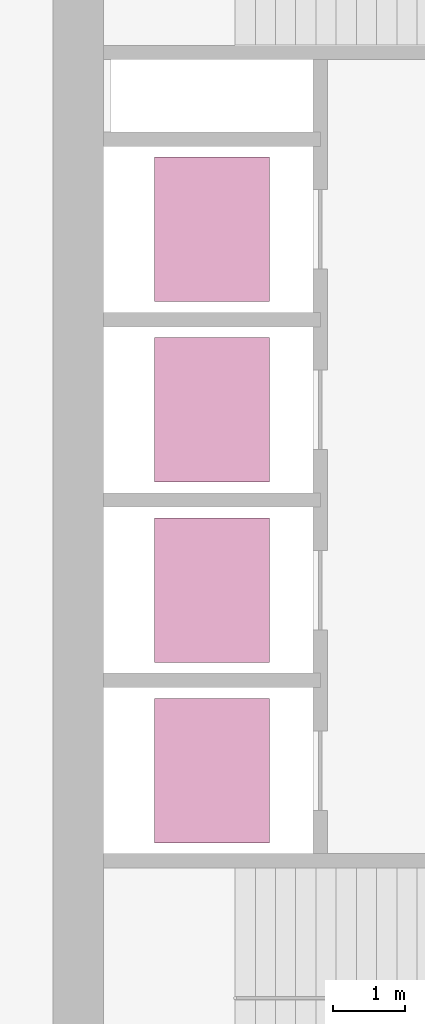
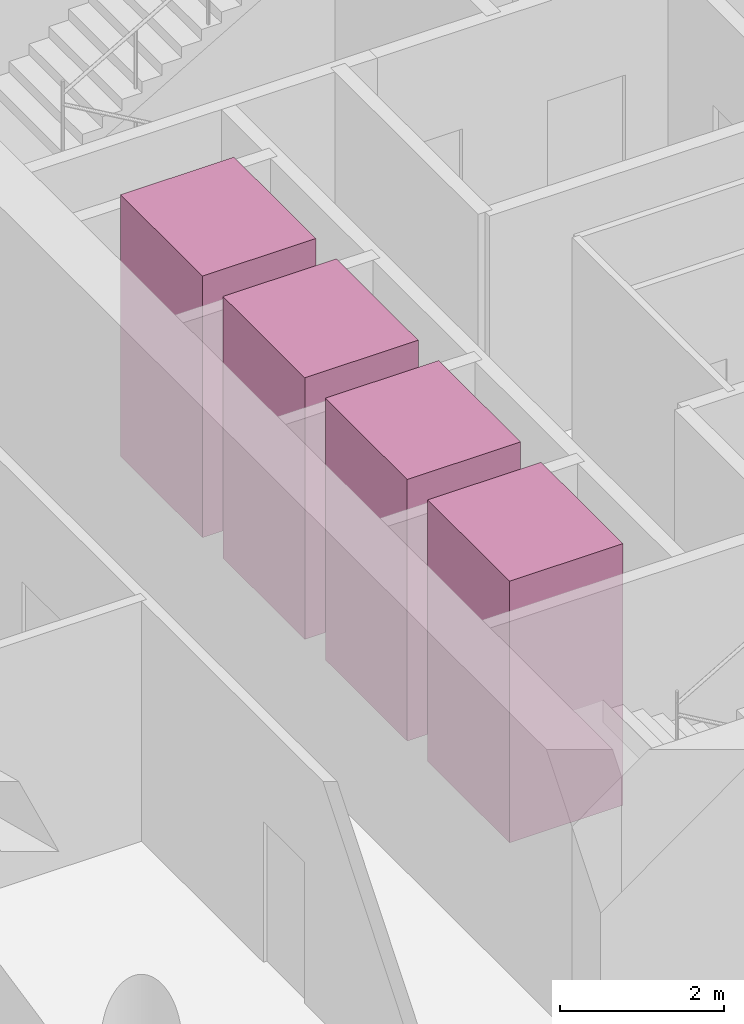
# One storey, part 9 of 9: 4 transport elements.
"""IFC4 building model written with IfcOpenShell, lengths in metres."""

from ifc_helpers import new_model, si_unit, direction, frame, origin, origin_2d, place, context, subcontext, project, spatial, rectangle, extrude, material, type_object, element, save


model = new_model("IFC4")

# Units and contexts
model_context = context("Model", 3, precision=1e-05, world=origin(), true_north=direction((0.0, 1.0)))
body_context = subcontext(model_context, "Body", "Model", "MODEL_VIEW")
ifc_project = project(units=[si_unit("LENGTHUNIT", "METRE"), si_unit("AREAUNIT", "SQUARE_METRE"), si_unit("VOLUMEUNIT", "CUBIC_METRE"), si_unit("PLANEANGLEUNIT", "RADIAN"), si_unit("MASSUNIT", "GRAM", prefix="KILO")], contexts=[model_context])

# Site, building, storey
site_placement = place(None, origin())
site = spatial("IfcSite", under=ifc_project, at=site_placement, CompositionType="ELEMENT")
building_placement = place(site_placement, origin())
building = spatial("IfcBuilding", under=site, at=building_placement, Name="Qaws Garden Tower", CompositionType="ELEMENT")
storey_placement = place(building_placement, frame((0.0, 0.0, 174.60009765625)))
storey = spatial("IfcBuildingStorey", under=building, at=storey_placement, Name="L42", CompositionType="ELEMENT", Elevation=174.60009765625)

# Transport elements
ifc_material = material(Name="Stainless steel 316", Category="steel")
transport_element_type = type_object("IfcTransportElementType", Name="Passenger lift car 2000x1600 1800 kg", PredefinedType="ELEVATOR", material=ifc_material)
for number, where, z_axis, x_axis, name in (
    (1, (10.199951171875, 13.64990234375, 0.0), (0.0, 0.0, 1.0), (1.0, 0.0, 0.0), "MR1"),
    (2, (10.199951171875, 16.14990234375, 0.0), (0.0, 0.0, 1.0), (1.0, 0.0, 0.0), "MR2"),
    (3, (10.199951171875, 18.64990234375, 0.0), (0.0, 0.0, 1.0), (1.0, 0.0, 0.0), "MR3"),
    (4, (10.199951171875, 21.14990234375, 0.0), (0.0, 0.0, 1.0), (1.0, 0.0, 0.0), "MR4"),
):
    element("IfcTransportElement", number, at=place(storey_placement, frame(where, z_axis=z_axis, x_axis=x_axis)), inside=storey, type_object=transport_element_type, Name=name, PredefinedType="ELEVATOR", context=body_context, shape_type="SweptSolid", body=[
        extrude(rectangle(XDim=1.60009765625, YDim=2.0, at=origin_2d()), origin(), (0.0, 0.0, 1.0), 3.89990234375),
    ])

save(model, "model.ifc")
